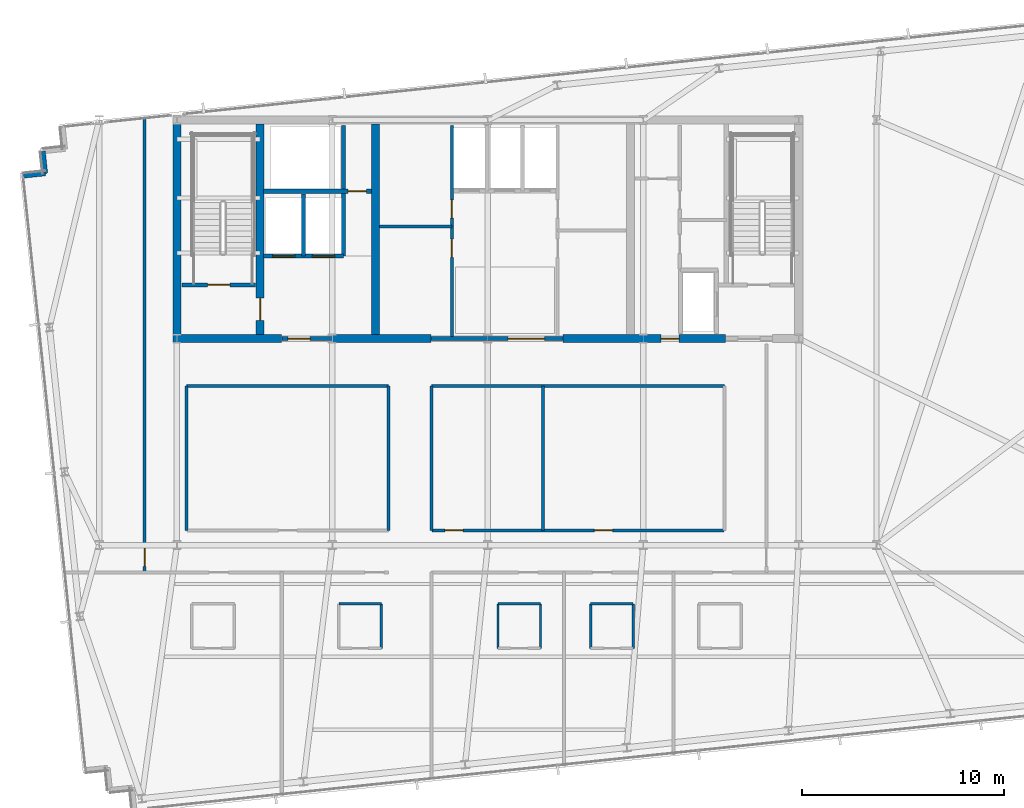
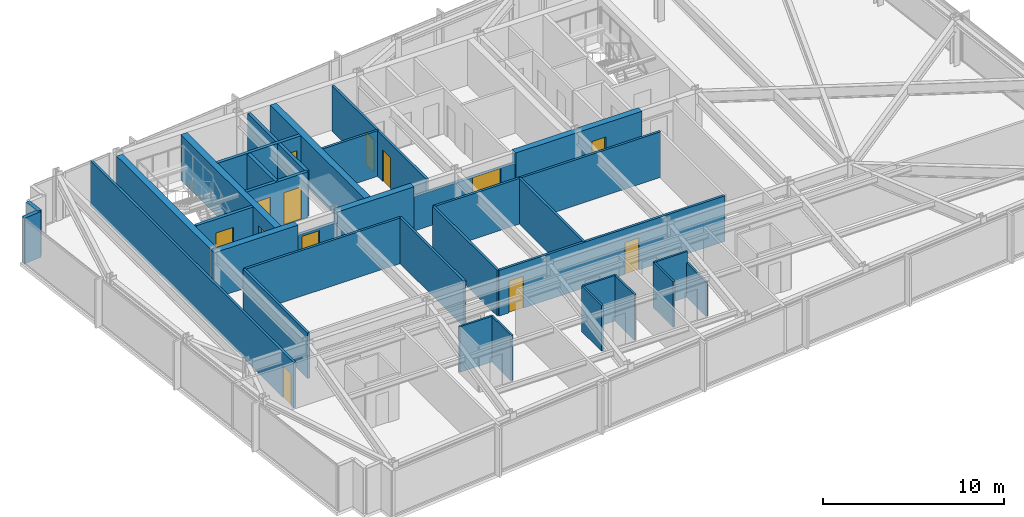
# One storey, part 27 of 33: 33 walls, 13 doors, 13 openings.
"""IFC4 building model written with IfcOpenShell, lengths in metres."""

from ifc_helpers import new_model, si_unit, direction, frame, frame_2d, origin, place, context, subcontext, project, spatial, rectangle, extrude, material, layer, layer_set, type_object, element, fill, save


model = new_model("IFC4")

# Units and contexts
model_context = context("Model", 3, precision=1e-05, world=origin(), true_north=direction((0.0, 1.0)))
body_context = subcontext(model_context, "Body", "Model", "MODEL_VIEW")
ifc_project = project(units=[si_unit("LENGTHUNIT", "METRE"), si_unit("AREAUNIT", "SQUARE_METRE"), si_unit("VOLUMEUNIT", "CUBIC_METRE"), si_unit("PLANEANGLEUNIT", "RADIAN"), si_unit("MASSUNIT", "GRAM", prefix="KILO")], contexts=[model_context])

# Site, building, storey
site_placement = place(None, origin())
site = spatial("IfcSite", under=ifc_project, at=site_placement, CompositionType="ELEMENT")
building_placement = place(site_placement, origin())
building = spatial("IfcBuilding", under=site, at=building_placement, Name="Yelkora Congress Tower", CompositionType="ELEMENT")
storey_placement = place(building_placement, frame((0.0, 0.0, 221.0)))
storey = spatial("IfcBuildingStorey", under=building, at=storey_placement, Name="L61", CompositionType="ELEMENT", Elevation=221.0)

# Walls
ifc_material_1 = material(Name="Concrete C50/60", Category="concrete")
ifc_layer_1 = layer(ifc_material_1, 0.39990234375)
ifc_layer_set_1 = layer_set([ifc_layer_1], Name="Concrete C50/60")
wall_type_1 = type_object("IfcWallType", Name="WALL-CORE-INT-400", PredefinedType="SHEAR", material=ifc_layer_set_1)
wall_1_placement = place(storey_placement, frame((22.840087890625, 35.39990234375, 0.0), z_axis=(0.0, 0.0, 1.0), x_axis=(1.0, 0.0, 0.0)))
element("IfcWall", 1, at=wall_1_placement, inside=storey, type_object=wall_type_1, Name="L61 Rear Core South-West Shear Wall", PredefinedType="SHEAR", context=body_context, shape_type="SweptSolid", body=[
    extrude(rectangle(XDim=5.35986328125, YDim=0.39990234375, at=frame_2d((2.679931640625, 0.0))), origin(), (0.0, 0.0, 1.0), 3.080078125),
])
wall_2_placement = place(storey_placement, frame((30.719970703125, 35.39990234375, 0.0), z_axis=(0.0, 0.0, 1.0), x_axis=(1.0, 0.0, 0.0)))
element("IfcWall", 2, at=wall_2_placement, inside=storey, type_object=wall_type_1, Name="L61 Rear Core South-Center Shear Pier", PredefinedType="SHEAR", context=body_context, shape_type="SweptSolid", body=[
    extrude(rectangle(XDim=4.880126953125, YDim=0.39990234375, at=frame_2d((2.43994140625, 0.0))), origin(), (0.0, 0.0, 1.0), 3.080078125),
])

# Wall, opening, door
wall_3_placement = place(storey_placement, frame((42.10009765625, 35.39990234375, 0.0), z_axis=(0.0, 0.0, 1.0), x_axis=(1.0, 0.0, 0.0)))
wall_3 = element("IfcWall", 3, at=wall_3_placement, inside=storey, type_object=wall_type_1, Name="L61 Rear Core South-East Shear Wall A", PredefinedType="SHEAR", context=body_context, shape_type="SweptSolid", body=[
    extrude(rectangle(XDim=8.0498046875, YDim=0.39990234375, at=frame_2d((4.02490234375, 0.0))), origin(), (0.0, 0.0, 1.0), 3.080078125),
])
opening_1_placement = place(wall_3_placement, frame((4.85009765625, 0.0, 0.0)))
opening_1 = element("IfcOpeningElement", 4, at=opening_1_placement, cuts=wall_3, Name="Opening DR-090F6", PredefinedType="OPENING", context=body_context, shape_type="SweptSolid", body=[
    extrude(rectangle(XDim=0.89990234375, YDim=2.14990234375, at=frame_2d((0.449951171875, 1.074951171875))), frame((0.0, 0.2099609375, 0.0), z_axis=(0.0, -1.0, 0.0), x_axis=(1.0, 0.0, 0.0)), (0.0, 0.0, 1.0), 0.419921875),
])
ifc_material_2 = material(Name="Painted steel riser fire door leaf", Category="steel")
door_type_1 = type_object("IfcDoorType", Name="DOOR-FD60-900", OperationType="NOTDEFINED", PredefinedType="DOOR", material=ifc_material_2)
door_1_placement = place(opening_1_placement, origin())
door_1 = element("IfcDoor", 5, at=door_1_placement, inside=storey, type_object=door_type_1, Name="L61 Core Washroom Lobby Door", OperationType="SINGLE_SWING_RIGHT", OverallHeight=2.14990234375, OverallWidth=0.89990234375, PredefinedType="DOOR", context=body_context, shape_type="SweptSolid", body=[
    extrude(rectangle(XDim=0.89990234375, YDim=2.14990234375, at=frame_2d((0.449951171875, 1.074951171875))), frame((0.0, 0.02490234375, 0.0), z_axis=(0.0, -1.0, 0.0), x_axis=(1.0, 0.0, 0.0)), (0.0, 0.0, 1.0), 0.050048828125),
])
fill(opening_1, door_1)

# Wall
wall_4_placement = place(storey_placement, frame((23.0400390625, 35.60009765625, 0.0), z_axis=(0.0, 0.0, 1.0), x_axis=(0.0, 1.0, 0.0)))
element("IfcWall", 6, at=wall_4_placement, inside=storey, type_object=wall_type_1, Name="L61 Rear Core Cross Shear Wall W", PredefinedType="SHEAR", context=body_context, shape_type="SweptSolid", body=[
    extrude(rectangle(XDim=10.39990234375, YDim=0.39990234375, at=frame_2d((5.199951171875, 0.0))), origin(), (0.0, 0.0, 1.0), 3.080078125),
])

# Wall, opening, door
wall_5_placement = place(storey_placement, frame((27.14990234375, 35.60009765625, 0.0), z_axis=(0.0, 0.0, 1.0), x_axis=(0.0, 1.0, 0.0)))
wall_5 = element("IfcWall", 7, at=wall_5_placement, inside=storey, type_object=wall_type_1, Name="L61 Rear Core Cross Shear Wall C1", PredefinedType="SHEAR", context=body_context, shape_type="SweptSolid", body=[
    extrude(rectangle(XDim=10.39990234375, YDim=0.39990234375, at=frame_2d((5.199951171875, 0.0))), origin(), (0.0, 0.0, 1.0), 3.080078125),
])
opening_2_placement = place(wall_5_placement, frame((0.699951171875, 0.0, 0.0)))
opening_2 = element("IfcOpeningElement", 8, at=opening_2_placement, cuts=wall_5, Name="Opening DR-110F9", PredefinedType="OPENING", context=body_context, shape_type="SweptSolid", body=[
    extrude(rectangle(XDim=1.10009765625, YDim=2.14990234375, at=frame_2d((0.550048828125, 1.074951171875))), frame((0.0, 0.2099609375, 0.0), z_axis=(0.0, -1.0, 0.0), x_axis=(1.0, 0.0, 0.0)), (0.0, 0.0, 1.0), 0.419921875),
])
ifc_material_3 = material(Name="Galvanised steel fire door leaf", Category="steel")
door_type_2 = type_object("IfcDoorType", Name="DOOR-FD90-1100", OperationType="NOTDEFINED", PredefinedType="DOOR", material=ifc_material_3)
door_2_placement = place(opening_2_placement, origin())
door_2 = element("IfcDoor", 9, at=door_2_placement, inside=storey, type_object=door_type_2, Name="L61 Firefighting Stair Transfer Door", OperationType="SINGLE_SWING_LEFT", OverallHeight=2.14990234375, OverallWidth=1.10009765625, PredefinedType="DOOR", context=body_context, shape_type="SweptSolid", body=[
    extrude(rectangle(XDim=1.10009765625, YDim=2.14990234375, at=frame_2d((0.550048828125, 1.074951171875))), frame((0.0, 0.02490234375, 0.0), z_axis=(0.0, -1.0, 0.0), x_axis=(1.0, 0.0, 0.0)), (0.0, 0.0, 1.0), 0.050048828125),
])
fill(opening_2, door_2)

# Walls
wall_6_placement = place(storey_placement, frame((32.85009765625, 35.60009765625, 0.0), z_axis=(0.0, 0.0, 1.0), x_axis=(0.0, 1.0, 0.0)))
element("IfcWall", 10, at=wall_6_placement, inside=storey, type_object=wall_type_1, Name="L61 Rear Core Cross Shear Wall C2", PredefinedType="SHEAR", context=body_context, shape_type="SweptSolid", body=[
    extrude(rectangle(XDim=10.39990234375, YDim=0.39990234375, at=frame_2d((5.199951171875, 0.0))), origin(), (0.0, 0.0, 1.0), 3.080078125),
])
ifc_material_4 = material(Name="Concrete C40/50", Category="concrete")
ifc_layer_2 = layer(ifc_material_4, 0.239990234375)
ifc_layer_set_2 = layer_set([ifc_layer_2], Name="Concrete C40/50")
wall_type_2 = type_object("IfcWallType", Name="WALL-EXT-LIMESTONE-240", PredefinedType="SOLIDWALL", material=ifc_layer_set_2)
wall_7_placement = place(storey_placement, frame((15.441162109375, 43.444580078125, 0.0), z_axis=(0.0, 0.0, 1.0), x_axis=(0.994495717747, 0.104777227405, 0.0)))
element("IfcWall", 11, at=wall_7_placement, inside=storey, type_object=wall_type_2, Name="L61 Serrated Corner Limestone Pier 6", PredefinedType="SOLIDWALL", context=body_context, shape_type="SweptSolid", body=[
    extrude(rectangle(XDim=1.099853515625, YDim=0.239990234375, at=frame_2d((0.5498046875, 0.0))), origin(), (0.0, 0.0, 1.0), 3.080078125),
])
wall_8_placement = place(storey_placement, frame((16.534912109375, 43.559814453125, 0.0), z_axis=(0.0, 0.0, 1.0), x_axis=(-0.104315068386, 0.994544300928, 0.0)))
element("IfcWall", 12, at=wall_8_placement, inside=storey, type_object=wall_type_2, Name="L61 Serrated Corner Limestone Pier 7", PredefinedType="SOLIDWALL", context=body_context, shape_type="SweptSolid", body=[
    extrude(rectangle(XDim=1.10009765625, YDim=0.239990234375, at=frame_2d((0.550048828125, 0.0))), origin(), (0.0, 0.0, 1.0), 3.080078125),
])
ifc_material_5 = material(Name="Moisture-resistant gypsum partition", Category="gypsum")
ifc_layer_3 = layer(ifc_material_5, 0.1201171875)
ifc_layer_set_3 = layer_set([ifc_layer_3], Name="Moisture-resistant gypsum partition")
wall_type_3 = type_object("IfcWallType", Name="WALL-INT-120-NR", PredefinedType="PARTITIONING", material=ifc_layer_set_3)
wall_9_placement = place(storey_placement, frame((31.0400390625, 22.300048828125, 0.0), z_axis=(0.0, 0.0, 1.0), x_axis=(1.0, 0.0, 0.0)))
element("IfcWall", 13, at=wall_9_placement, inside=storey, type_object=wall_type_3, Name="L61 Partition Wall 27", PredefinedType="PARTITIONING", context=body_context, shape_type="SweptSolid", body=[
    extrude(rectangle(XDim=2.099853515625, YDim=0.1201171875, at=frame_2d((1.0498046875, 0.0))), origin(), (0.0, 0.0, 1.0), 3.080078125),
])
wall_10_placement = place(storey_placement, frame((33.139892578125, 20.10009765625, 0.0), z_axis=(0.0, 0.0, 1.0), x_axis=(0.0, 1.0, 0.0)))
element("IfcWall", 14, at=wall_10_placement, inside=storey, type_object=wall_type_3, Name="L61 Partition Wall 29", PredefinedType="PARTITIONING", context=body_context, shape_type="SweptSolid", body=[
    extrude(rectangle(XDim=2.199951171875, YDim=0.1201171875, at=frame_2d((1.10009765625, 0.0))), origin(), (0.0, 0.0, 1.0), 3.080078125),
])
wall_11_placement = place(storey_placement, frame((38.89990234375, 22.300048828125, 0.0), z_axis=(0.0, 0.0, 1.0), x_axis=(1.0, 0.0, 0.0)))
element("IfcWall", 15, at=wall_11_placement, inside=storey, type_object=wall_type_3, Name="L61 Partition Wall 32", PredefinedType="PARTITIONING", context=body_context, shape_type="SweptSolid", body=[
    extrude(rectangle(XDim=2.10009765625, YDim=0.1201171875, at=frame_2d((1.050048828125, 0.0))), origin(), (0.0, 0.0, 1.0), 3.080078125),
])
for number, where, z_axis, x_axis, name in (
    (16, (38.89990234375, 20.10009765625, 0.0), (0.0, 0.0, 1.0), (0.0, 1.0, 0.0), "L61 Partition Wall 33"),
    (17, (41.0, 20.10009765625, 0.0), (0.0, 0.0, 1.0), (0.0, 1.0, 0.0), "L61 Partition Wall 34"),
):
    element("IfcWall", number, at=place(storey_placement, frame(where, z_axis=z_axis, x_axis=x_axis)), inside=storey, type_object=wall_type_3, Name=name, PredefinedType="PARTITIONING", context=body_context, shape_type="SweptSolid", body=[
        extrude(rectangle(XDim=2.199951171875, YDim=0.1201171875, at=frame_2d((1.10009765625, 0.0))), origin(), (0.0, 0.0, 1.0), 3.080078125),
    ])
wall_12_placement = place(storey_placement, frame((43.47998046875, 22.300048828125, 0.0), z_axis=(0.0, 0.0, 1.0), x_axis=(1.0, 0.0, 0.0)))
element("IfcWall", 18, at=wall_12_placement, inside=storey, type_object=wall_type_3, Name="L61 Partition Wall 37", PredefinedType="PARTITIONING", context=body_context, shape_type="SweptSolid", body=[
    extrude(rectangle(XDim=2.10009765625, YDim=0.1201171875, at=frame_2d((1.050048828125, 0.0))), origin(), (0.0, 0.0, 1.0), 3.080078125),
])
wall_13_placement = place(storey_placement, frame((43.47998046875, 20.10009765625, 0.0), z_axis=(0.0, 0.0, 1.0), x_axis=(0.0, 1.0, 0.0)))
element("IfcWall", 19, at=wall_13_placement, inside=storey, type_object=wall_type_3, Name="L61 Partition Wall 38", PredefinedType="PARTITIONING", context=body_context, shape_type="SweptSolid", body=[
    extrude(rectangle(XDim=2.199951171875, YDim=0.1201171875, at=frame_2d((1.10009765625, 0.0))), origin(), (0.0, 0.0, 1.0), 3.080078125),
])
wall_14_placement = place(storey_placement, frame((45.580078125, 20.10009765625, 0.0), z_axis=(0.0, 0.0, 1.0), x_axis=(0.0, 1.0, 0.0)))
element("IfcWall", 20, at=wall_14_placement, inside=storey, type_object=wall_type_3, Name="L61 Partition Wall 39", PredefinedType="PARTITIONING", context=body_context, shape_type="SweptSolid", body=[
    extrude(rectangle(XDim=2.199951171875, YDim=0.1201171875, at=frame_2d((1.10009765625, 0.0))), origin(), (0.0, 0.0, 1.0), 2.31298828125),
])

# Wall, opening, door
ifc_material_6 = material(Name="Acoustic metal-stud gypsum partition", Category="gypsum")
ifc_layer_4 = layer(ifc_material_6, 0.14990234375)
ifc_layer_set_4 = layer_set([ifc_layer_4], Name="Acoustic metal-stud gypsum partition")
wall_type_4 = type_object("IfcWallType", Name="WALL-INT-150-NR", PredefinedType="PARTITIONING", material=ifc_layer_set_4)
wall_15_placement = place(storey_placement, frame((21.43994140625, 23.85009765625, 0.0), z_axis=(0.0, 0.0, 1.0), x_axis=(0.0, 1.0, 0.0)))
wall_15 = element("IfcWall", 21, at=wall_15_placement, inside=storey, type_object=wall_type_4, Name="L61 Partition Wall 49", PredefinedType="PARTITIONING", context=body_context, shape_type="SweptSolid", body=[
    extrude(rectangle(XDim=22.49755859375, YDim=0.14990234375, at=frame_2d((11.248779296875, 0.0))), origin(), (0.0, 0.0, 1.0), 3.080078125),
])
opening_3_placement = place(wall_15_placement, frame((0.300048828125, 0.0, 0.0)))
opening_3 = element("IfcOpeningElement", 22, at=opening_3_placement, cuts=wall_15, Name="Opening DR-090N", PredefinedType="OPENING", context=body_context, shape_type="SweptSolid", body=[
    extrude(rectangle(XDim=0.89990234375, YDim=2.14990234375, at=frame_2d((0.449951171875, 1.074951171875))), frame((0.0, 0.0849609375, 0.0), z_axis=(0.0, -1.0, 0.0), x_axis=(1.0, 0.0, 0.0)), (0.0, 0.0, 1.0), 0.169921875),
])
ifc_material_7 = material(Name="Moisture-resistant laminate door leaf", Category="wood")
door_type_3 = type_object("IfcDoorType", Name="DOOR-INT-900", OperationType="NOTDEFINED", PredefinedType="DOOR", material=ifc_material_7)
door_3_placement = place(opening_3_placement, origin())
door_3 = element("IfcDoor", 23, at=door_3_placement, inside=storey, type_object=door_type_3, Name="L61 W Wing Door", OperationType="SINGLE_SWING_RIGHT", OverallHeight=2.14990234375, OverallWidth=0.89990234375, PredefinedType="DOOR", context=body_context, shape_type="SweptSolid", body=[
    extrude(rectangle(XDim=0.89990234375, YDim=2.14990234375, at=frame_2d((0.449951171875, 1.074951171875))), frame((0.0, 0.02490234375, 0.0), z_axis=(0.0, -1.0, 0.0), x_axis=(1.0, 0.0, 0.0)), (0.0, 0.0, 1.0), 0.050048828125),
])
fill(opening_3, door_3)

# Walls
for number, where, z_axis, x_axis, name in (
    (24, (23.52001953125, 25.929931640625, 0.0), (0.0, 0.0, 1.0), (0.0, 1.0, 0.0), "L61 Partition Wall 51"),
    (25, (33.5, 25.929931640625, 0.0), (0.0, 0.0, 1.0), (0.0, 1.0, 0.0), "L61 Partition Wall 53"),
    (26, (35.6201171875, 25.929931640625, 0.0), (0.0, 0.0, 1.0), (0.0, 1.0, 0.0), "L61 Partition Wall 54"),
):
    element("IfcWall", number, at=place(storey_placement, frame(where, z_axis=z_axis, x_axis=x_axis)), inside=storey, type_object=wall_type_4, Name=name, PredefinedType="PARTITIONING", context=body_context, shape_type="SweptSolid", body=[
        extrude(rectangle(XDim=7.1201171875, YDim=0.14990234375, at=frame_2d((3.56005859375, 0.0))), origin(), (0.0, 0.0, 1.0), 3.080078125),
    ])
wall_16_placement = place(storey_placement, frame((23.52001953125, 33.050048828125, 0.0), z_axis=(0.0, 0.0, 1.0), x_axis=(1.0, 0.0, 0.0)))
element("IfcWall", 27, at=wall_16_placement, inside=storey, type_object=wall_type_4, Name="L61 Partition Wall 55", PredefinedType="PARTITIONING", context=body_context, shape_type="SweptSolid", body=[
    extrude(rectangle(XDim=9.97998046875, YDim=0.14990234375, at=frame_2d((4.989990234375, 0.0))), origin(), (0.0, 0.0, 1.0), 3.080078125),
])
wall_17_placement = place(storey_placement, frame((35.6201171875, 33.050048828125, 0.0), z_axis=(0.0, 0.0, 1.0), x_axis=(1.0, 0.0, 0.0)))
element("IfcWall", 28, at=wall_17_placement, inside=storey, type_object=wall_type_4, Name="L61 Partition Wall 56", PredefinedType="PARTITIONING", context=body_context, shape_type="SweptSolid", body=[
    extrude(rectangle(XDim=14.4599609375, YDim=0.14990234375, at=frame_2d((7.22998046875, 0.0))), origin(), (0.0, 0.0, 1.0), 3.080078125),
])
wall_18_placement = place(storey_placement, frame((41.113037109375, 25.929931640625, 0.0), z_axis=(0.0, 0.0, 1.0), x_axis=(0.0, 1.0, 0.0)))
element("IfcWall", 29, at=wall_18_placement, inside=storey, type_object=wall_type_4, Name="L61 Partition Wall 58", PredefinedType="PARTITIONING", context=body_context, shape_type="SweptSolid", body=[
    extrude(rectangle(XDim=7.1201171875, YDim=0.14990234375, at=frame_2d((3.56005859375, 0.0))), origin(), (0.0, 0.0, 1.0), 3.080078125),
])

# Wall, openings, doors
wall_19_placement = place(storey_placement, frame((35.6298828125, 25.929931640625, 0.0), z_axis=(0.0, 0.0, 1.0), x_axis=(1.0, 0.0, 0.0)))
wall_19 = element("IfcWall", 30, at=wall_19_placement, inside=storey, type_object=wall_type_4, Name="L61 Partition Wall 59", PredefinedType="PARTITIONING", context=body_context, shape_type="SweptSolid", body=[
    extrude(rectangle(XDim=14.43017578125, YDim=0.14990234375, at=frame_2d((7.215087890625, 0.0))), origin(), (0.0, 0.0, 1.0), 3.080078125),
])
opening_4_placement = place(wall_19_placement, frame((0.64990234375, 0.0, 0.0)))
opening_4 = element("IfcOpeningElement", 31, at=opening_4_placement, cuts=wall_19, Name="Opening DR-090N", PredefinedType="OPENING", context=body_context, shape_type="SweptSolid", body=[
    extrude(rectangle(XDim=0.89990234375, YDim=2.14990234375, at=frame_2d((0.449951171875, 1.074951171875))), frame((0.0, 0.0849609375, 0.0), z_axis=(0.0, -1.0, 0.0), x_axis=(1.0, 0.0, 0.0)), (0.0, 0.0, 1.0), 0.169921875),
])
opening_5_placement = place(wall_19_placement, frame((8.030517578125, 0.0, 0.0)))
opening_5 = element("IfcOpeningElement", 32, at=opening_5_placement, cuts=wall_19, Name="Opening DR-090N", PredefinedType="OPENING", context=body_context, shape_type="SweptSolid", body=[
    extrude(rectangle(XDim=0.89990234375, YDim=2.14990234375, at=frame_2d((0.449951171875, 1.074951171875))), frame((0.0, 0.0849609375, 0.0), z_axis=(0.0, -1.0, 0.0), x_axis=(1.0, 0.0, 0.0)), (0.0, 0.0, 1.0), 0.169921875),
])
door_4_placement = place(opening_4_placement, origin())
door_4 = element("IfcDoor", 33, at=door_4_placement, inside=storey, type_object=door_type_3, Name="L61 Executive Library Door", OperationType="SINGLE_SWING_LEFT", OverallHeight=2.14990234375, OverallWidth=0.89990234375, PredefinedType="DOOR", context=body_context, shape_type="SweptSolid", body=[
    extrude(rectangle(XDim=0.89990234375, YDim=2.14990234375, at=frame_2d((0.449951171875, 1.074951171875))), frame((0.0, 0.02490234375, 0.0), z_axis=(0.0, -1.0, 0.0), x_axis=(1.0, 0.0, 0.0)), (0.0, 0.0, 1.0), 0.050048828125),
])
fill(opening_4, door_4)
door_5_placement = place(opening_5_placement, origin())
door_5 = element("IfcDoor", 34, at=door_5_placement, inside=storey, type_object=door_type_3, Name="L61 Delegate Kiosk Door", OperationType="SINGLE_SWING_RIGHT", OverallHeight=2.14990234375, OverallWidth=0.89990234375, PredefinedType="DOOR", context=body_context, shape_type="SweptSolid", body=[
    extrude(rectangle(XDim=0.89990234375, YDim=2.14990234375, at=frame_2d((0.449951171875, 1.074951171875))), frame((0.0, 0.02490234375, 0.0), z_axis=(0.0, -1.0, 0.0), x_axis=(1.0, 0.0, 0.0)), (0.0, 0.0, 1.0), 0.050048828125),
])
fill(opening_5, door_5)

# Wall
ifc_material_8 = material(Name="Twin-stud fire-rated gypsum partition", Category="gypsum")
ifc_layer_5 = layer(ifc_material_8, 0.14990234375)
ifc_layer_set_5 = layer_set([ifc_layer_5], Name="Twin-stud fire-rated gypsum partition")
wall_type_5 = type_object("IfcWallType", Name="WALL-INT-150-R60", PredefinedType="PARTITIONING", material=ifc_layer_set_5)
wall_20_placement = place(storey_placement, frame((33.050048828125, 40.949951171875, 0.0), z_axis=(0.0, 0.0, 1.0), x_axis=(1.0, 0.0, 0.0)))
element("IfcWall", 35, at=wall_20_placement, inside=storey, type_object=wall_type_5, Name="L61 Partition Wall 11", PredefinedType="PARTITIONING", context=body_context, shape_type="SweptSolid", body=[
    extrude(rectangle(XDim=3.570068359375, YDim=0.14990234375, at=frame_2d((1.78515625, 0.0))), origin(), (0.0, 0.0, 1.0), 3.080078125),
])

# Wall, openings, doors
wall_21_placement = place(storey_placement, frame((36.6201171875, 35.5, 0.0), z_axis=(0.0, 0.0, 1.0), x_axis=(0.0, 1.0, 0.0)))
wall_21 = element("IfcWall", 36, at=wall_21_placement, inside=storey, type_object=wall_type_5, Name="L61 Partition Wall 12", PredefinedType="PARTITIONING", context=body_context, shape_type="SweptSolid", body=[
    extrude(rectangle(XDim=10.419921875, YDim=0.14990234375, at=frame_2d((5.2099609375, 0.0))), origin(), (0.0, 0.0, 1.0), 3.080078125),
])
opening_6_placement = place(wall_21_placement, frame((3.919921875, 0.0, 0.0)))
opening_6 = element("IfcOpeningElement", 37, at=opening_6_placement, cuts=wall_21, Name="Opening DR-090F6", PredefinedType="OPENING", context=body_context, shape_type="SweptSolid", body=[
    extrude(rectangle(XDim=0.89990234375, YDim=2.14990234375, at=frame_2d((0.449951171875, 1.074951171875))), frame((0.0, 0.0849609375, 0.0), z_axis=(0.0, -1.0, 0.0), x_axis=(1.0, 0.0, 0.0)), (0.0, 0.0, 1.0), 0.169921875),
])
opening_7_placement = place(wall_21_placement, frame((5.85009765625, 0.0, 0.0)))
opening_7 = element("IfcOpeningElement", 38, at=opening_7_placement, cuts=wall_21, Name="Opening DR-090F6", PredefinedType="OPENING", context=body_context, shape_type="SweptSolid", body=[
    extrude(rectangle(XDim=0.89990234375, YDim=2.14990234375, at=frame_2d((0.449951171875, 1.074951171875))), frame((0.0, 0.0849609375, 0.0), z_axis=(0.0, -1.0, 0.0), x_axis=(1.0, 0.0, 0.0)), (0.0, 0.0, 1.0), 0.169921875),
])
door_6_placement = place(opening_6_placement, origin())
door_6 = element("IfcDoor", 39, at=door_6_placement, inside=storey, type_object=door_type_1, Name="L61 Telecom Store Door", OperationType="SINGLE_SWING_RIGHT", OverallHeight=2.14990234375, OverallWidth=0.89990234375, PredefinedType="DOOR", context=body_context, shape_type="SweptSolid", body=[
    extrude(rectangle(XDim=0.89990234375, YDim=2.14990234375, at=frame_2d((0.449951171875, 1.074951171875))), frame((0.0, 0.02490234375, 0.0), z_axis=(0.0, -1.0, 0.0), x_axis=(1.0, 0.0, 0.0)), (0.0, 0.0, 1.0), 0.050048828125),
])
fill(opening_6, door_6)
door_7_placement = place(opening_7_placement, origin())
door_7 = element("IfcDoor", 40, at=door_7_placement, inside=storey, type_object=door_type_1, Name="L61 Archive Store Door", OperationType="SINGLE_SWING_LEFT", OverallHeight=2.14990234375, OverallWidth=0.89990234375, PredefinedType="DOOR", context=body_context, shape_type="SweptSolid", body=[
    extrude(rectangle(XDim=0.89990234375, YDim=2.14990234375, at=frame_2d((0.449951171875, 1.074951171875))), frame((0.0, 0.02490234375, 0.0), z_axis=(0.0, -1.0, 0.0), x_axis=(1.0, 0.0, 0.0)), (0.0, 0.0, 1.0), 0.050048828125),
])
fill(opening_7, door_7)

# Wall, opening, door
ifc_material_9 = material(Name="Autoclaved aerated concrete blockwork", Category="masonry")
ifc_layer_6 = layer(ifc_material_9, 0.199951171875)
ifc_layer_set_6 = layer_set([ifc_layer_6], Name="Autoclaved aerated concrete blockwork")
wall_type_6 = type_object("IfcWallType", Name="WALL-INT-200-R120", PredefinedType="PARTITIONING", material=ifc_layer_set_6)
wall_22_placement = place(storey_placement, frame((23.300048828125, 38.050048828125, 0.0), z_axis=(0.0, 0.0, 1.0), x_axis=(1.0, 0.0, 0.0)))
wall_22 = element("IfcWall", 41, at=wall_22_placement, inside=storey, type_object=wall_type_6, Name="L61 Stair ST-01 Enclosure Wall", PredefinedType="PARTITIONING", context=body_context, shape_type="SweptSolid", body=[
    extrude(rectangle(XDim=3.619873046875, YDim=0.199951171875, at=frame_2d((1.81005859375, 0.0))), origin(), (0.0, 0.0, 1.0), 3.080078125),
])
opening_8_placement = place(wall_22_placement, frame((1.260009765625, 0.0, 0.0)))
opening_8 = element("IfcOpeningElement", 42, at=opening_8_placement, cuts=wall_22, Name="Opening DR-110F9", PredefinedType="OPENING", context=body_context, shape_type="SweptSolid", body=[
    extrude(rectangle(XDim=1.10009765625, YDim=2.14990234375, at=frame_2d((0.550048828125, 1.074951171875))), frame((0.0, 0.10986328125, 0.0), z_axis=(0.0, -1.0, 0.0), x_axis=(1.0, 0.0, 0.0)), (0.0, 0.0, 1.0), 0.219970703125),
])
door_8_placement = place(opening_8_placement, origin())
door_8 = element("IfcDoor", 43, at=door_8_placement, inside=storey, type_object=door_type_2, Name="L61 Stair ST-01 Entry Door", OperationType="SINGLE_SWING_LEFT", OverallHeight=2.14990234375, OverallWidth=1.10009765625, PredefinedType="DOOR", context=body_context, shape_type="SweptSolid", body=[
    extrude(rectangle(XDim=1.10009765625, YDim=2.14990234375, at=frame_2d((0.550048828125, 1.074951171875))), frame((0.0, 0.02490234375, 0.0), z_axis=(0.0, -1.0, 0.0), x_axis=(1.0, 0.0, 0.0)), (0.0, 0.0, 1.0), 0.050048828125),
])
fill(opening_8, door_8)

wall_23_placement = place(storey_placement, frame((28.219970703125, 35.39990234375, 0.0), z_axis=(0.0, 0.0, 1.0), x_axis=(1.0, 0.0, 0.0)))
wall_23 = element("IfcWall", 44, at=wall_23_placement, inside=storey, type_object=wall_type_6, Name="L61 Firefighting Lobby South Wall", PredefinedType="PARTITIONING", context=body_context, shape_type="SweptSolid", body=[
    extrude(rectangle(XDim=2.5, YDim=0.199951171875, at=frame_2d((1.25, 0.0))), origin(), (0.0, 0.0, 1.0), 2.31298828125),
])
opening_9_placement = place(wall_23_placement, frame((0.300048828125, 0.0, 0.0)))
opening_9 = element("IfcOpeningElement", 45, at=opening_9_placement, cuts=wall_23, Name="Opening DR-110F9", PredefinedType="OPENING", context=body_context, shape_type="SweptSolid", body=[
    extrude(rectangle(XDim=1.10009765625, YDim=2.14990234375, at=frame_2d((0.550048828125, 1.074951171875))), frame((0.0, 0.10986328125, 0.0), z_axis=(0.0, -1.0, 0.0), x_axis=(1.0, 0.0, 0.0)), (0.0, 0.0, 1.0), 0.219970703125),
])
door_9_placement = place(opening_9_placement, origin())
door_9 = element("IfcDoor", 46, at=door_9_placement, inside=storey, type_object=door_type_2, Name="L61 Firefighting Lobby Corridor Door", OperationType="SINGLE_SWING_RIGHT", OverallHeight=2.14990234375, OverallWidth=1.10009765625, PredefinedType="DOOR", context=body_context, shape_type="SweptSolid", body=[
    extrude(rectangle(XDim=1.10009765625, YDim=2.14990234375, at=frame_2d((0.550048828125, 1.074951171875))), frame((0.0, 0.02490234375, 0.0), z_axis=(0.0, -1.0, 0.0), x_axis=(1.0, 0.0, 0.0)), (0.0, 0.0, 1.0), 0.050048828125),
])
fill(opening_9, door_9)

# Wall, openings, doors
wall_24_placement = place(storey_placement, frame((27.320068359375, 39.47998046875, 0.0), z_axis=(0.0, 0.0, 1.0), x_axis=(1.0, 0.0, 0.0)))
wall_24 = element("IfcWall", 47, at=wall_24_placement, inside=storey, type_object=wall_type_6, Name="L61 Firefighting Lift Front Wall", PredefinedType="PARTITIONING", context=body_context, shape_type="SweptSolid", body=[
    extrude(rectangle(XDim=3.93994140625, YDim=0.199951171875, at=frame_2d((1.969970703125, 0.0))), origin(), (0.0, 0.0, 1.0), 3.080078125),
])
opening_10_placement = place(wall_24_placement, frame((0.449951171875, 0.0, 0.0)))
opening_10 = element("IfcOpeningElement", 48, at=opening_10_placement, cuts=wall_24, Name="Opening LD-FF11", PredefinedType="OPENING", context=body_context, shape_type="SweptSolid", body=[
    extrude(rectangle(XDim=1.10009765625, YDim=2.199951171875, at=frame_2d((0.550048828125, 1.10009765625))), frame((0.0, 0.10986328125, 0.0), z_axis=(0.0, -1.0, 0.0), x_axis=(1.0, 0.0, 0.0)), (0.0, 0.0, 1.0), 0.219970703125),
])
opening_11_placement = place(wall_24_placement, frame((2.409912109375, 0.0, 0.0)))
opening_11 = element("IfcOpeningElement", 49, at=opening_11_placement, cuts=wall_24, Name="Opening LD-FF11", PredefinedType="OPENING", context=body_context, shape_type="SweptSolid", body=[
    extrude(rectangle(XDim=1.10009765625, YDim=2.199951171875, at=frame_2d((0.550048828125, 1.10009765625))), frame((0.0, 0.10986328125, 0.0), z_axis=(0.0, -1.0, 0.0), x_axis=(1.0, 0.0, 0.0)), (0.0, 0.0, 1.0), 0.219970703125),
])
ifc_material_10 = material(Name="Brushed stainless steel 316L landing door", Category="steel")
door_type_4 = type_object("IfcDoorType", Name="DOOR-LIFT-FF-1100", OperationType="DOUBLE_DOOR_SLIDING", PredefinedType="DOOR", material=ifc_material_10)
door_10_placement = place(opening_10_placement, origin())
door_10 = element("IfcDoor", 50, at=door_10_placement, inside=storey, type_object=door_type_4, Name="Lift Landing Door LF-FF1 L61", OperationType="DOUBLE_DOOR_SLIDING", OverallHeight=2.199951171875, OverallWidth=1.10009765625, PredefinedType="DOOR", context=body_context, shape_type="SweptSolid", body=[
    extrude(rectangle(XDim=1.10009765625, YDim=2.199951171875, at=frame_2d((0.550048828125, 1.10009765625))), frame((0.0, 0.02490234375, 0.0), z_axis=(0.0, -1.0, 0.0), x_axis=(1.0, 0.0, 0.0)), (0.0, 0.0, 1.0), 0.050048828125),
])
fill(opening_10, door_10)
door_11_placement = place(opening_11_placement, origin())
door_11 = element("IfcDoor", 51, at=door_11_placement, inside=storey, type_object=door_type_4, Name="Lift Landing Door LF-FF2 L61", OperationType="DOUBLE_DOOR_SLIDING", OverallHeight=2.199951171875, OverallWidth=1.10009765625, PredefinedType="DOOR", context=body_context, shape_type="SweptSolid", body=[
    extrude(rectangle(XDim=1.10009765625, YDim=2.199951171875, at=frame_2d((0.550048828125, 1.10009765625))), frame((0.0, 0.02490234375, 0.0), z_axis=(0.0, -1.0, 0.0), x_axis=(1.0, 0.0, 0.0)), (0.0, 0.0, 1.0), 0.050048828125),
])
fill(opening_11, door_11)

# Walls
wall_25_placement = place(storey_placement, frame((29.300048828125, 39.47998046875, 0.0), z_axis=(0.0, 0.0, 1.0), x_axis=(0.0, 1.0, 0.0)))
element("IfcWall", 52, at=wall_25_placement, inside=storey, type_object=wall_type_6, Name="L61 Partition Wall 4", PredefinedType="PARTITIONING", context=body_context, shape_type="SweptSolid", body=[
    extrude(rectangle(XDim=3.070068359375, YDim=0.199951171875, at=frame_2d((1.53515625, 0.0))), origin(), (0.0, 0.0, 1.0), 3.080078125),
])
wall_26_placement = place(storey_placement, frame((31.260009765625, 39.47998046875, 0.0), z_axis=(0.0, 0.0, 1.0), x_axis=(0.0, 1.0, 0.0)))
element("IfcWall", 53, at=wall_26_placement, inside=storey, type_object=wall_type_6, Name="L61 Partition Wall 5", PredefinedType="PARTITIONING", context=body_context, shape_type="SweptSolid", body=[
    extrude(rectangle(XDim=6.43994140625, YDim=0.199951171875, at=frame_2d((3.219970703125, 0.0))), origin(), (0.0, 0.0, 1.0), 3.080078125),
])

# Wall, opening, door
wall_27_placement = place(storey_placement, frame((27.320068359375, 42.679931640625, 0.0), z_axis=(0.0, 0.0, 1.0), x_axis=(1.0, 0.0, 0.0)))
wall_27 = element("IfcWall", 54, at=wall_27_placement, inside=storey, type_object=wall_type_6, Name="L61 Smoke Riser South Wall", PredefinedType="PARTITIONING", context=body_context, shape_type="SweptSolid", body=[
    extrude(rectangle(XDim=5.329833984375, YDim=0.199951171875, at=frame_2d((2.6650390625, 0.0))), origin(), (0.0, 0.0, 1.0), 3.080078125),
])
opening_12_placement = place(wall_27_placement, frame((4.179931640625, 0.0, 0.0)))
opening_12 = element("IfcOpeningElement", 55, at=opening_12_placement, cuts=wall_27, Name="Opening DR-090F6", PredefinedType="OPENING", context=body_context, shape_type="SweptSolid", body=[
    extrude(rectangle(XDim=0.89990234375, YDim=2.14990234375, at=frame_2d((0.449951171875, 1.074951171875))), frame((0.0, 0.10986328125, 0.0), z_axis=(0.0, -1.0, 0.0), x_axis=(1.0, 0.0, 0.0)), (0.0, 0.0, 1.0), 0.219970703125),
])
door_12_placement = place(opening_12_placement, origin())
door_12 = element("IfcDoor", 56, at=door_12_placement, inside=storey, type_object=door_type_1, Name="L61 Riser Access Door", OperationType="SINGLE_SWING_LEFT", OverallHeight=2.14990234375, OverallWidth=0.89990234375, PredefinedType="DOOR", context=body_context, shape_type="SweptSolid", body=[
    extrude(rectangle(XDim=0.89990234375, YDim=2.14990234375, at=frame_2d((0.449951171875, 1.074951171875))), frame((0.0, 0.02490234375, 0.0), z_axis=(0.0, -1.0, 0.0), x_axis=(1.0, 0.0, 0.0)), (0.0, 0.0, 1.0), 0.050048828125),
])
fill(opening_12, door_12)

wall_28_placement = place(storey_placement, frame((35.60009765625, 35.39990234375, 0.0), z_axis=(0.0, 0.0, 1.0), x_axis=(1.0, 0.0, 0.0)))
wall_28 = element("IfcWall", 57, at=wall_28_placement, inside=storey, type_object=wall_type_6, Name="L61 Main Lift Lobby South Portal Wall", PredefinedType="PARTITIONING", context=body_context, shape_type="SweptSolid", body=[
    extrude(rectangle(XDim=6.5, YDim=0.199951171875, at=frame_2d((3.25, 0.0))), origin(), (0.0, 0.0, 1.0), 2.31298828125),
])
opening_13_placement = place(wall_28_placement, frame((3.800048828125, 0.0, 0.0)))
opening_13 = element("IfcOpeningElement", 58, at=opening_13_placement, cuts=wall_28, Name="Opening DR-180D", PredefinedType="OPENING", context=body_context, shape_type="SweptSolid", body=[
    extrude(rectangle(XDim=1.800048828125, YDim=2.300048828125, at=frame_2d((0.89990234375, 1.14990234375))), frame((0.0, 0.10986328125, 0.0), z_axis=(0.0, -1.0, 0.0), x_axis=(1.0, 0.0, 0.0)), (0.0, 0.0, 1.0), 0.219970703125),
])
ifc_material_11 = material(Name="Acoustic double congress hall doors", Category="wood")
door_type_5 = type_object("IfcDoorType", Name="DOOR-DBL-1800", OperationType="DOUBLE_DOOR_SINGLE_SWING", PredefinedType="DOOR", material=ifc_material_11)
door_13_placement = place(opening_13_placement, origin())
door_13 = element("IfcDoor", 59, at=door_13_placement, inside=storey, type_object=door_type_5, Name="L61 Main Lift Lobby Portal Door", OperationType="DOUBLE_DOOR_SINGLE_SWING", OverallHeight=2.300048828125, OverallWidth=1.800048828125, PredefinedType="DOOR", context=body_context, shape_type="SweptSolid", body=[
    extrude(rectangle(XDim=1.800048828125, YDim=2.300048828125, at=frame_2d((0.89990234375, 1.14990234375))), frame((0.0, 0.02490234375, 0.0), z_axis=(0.0, -1.0, 0.0), x_axis=(1.0, 0.0, 0.0)), (0.0, 0.0, 1.0), 0.050048828125),
])
fill(opening_13, door_13)

save(model, "model.ifc")
